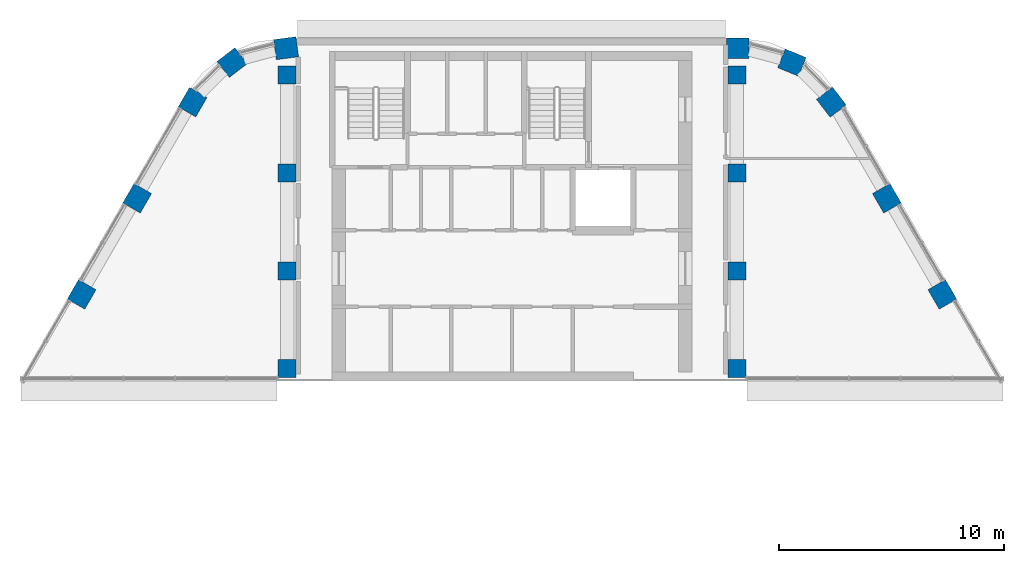
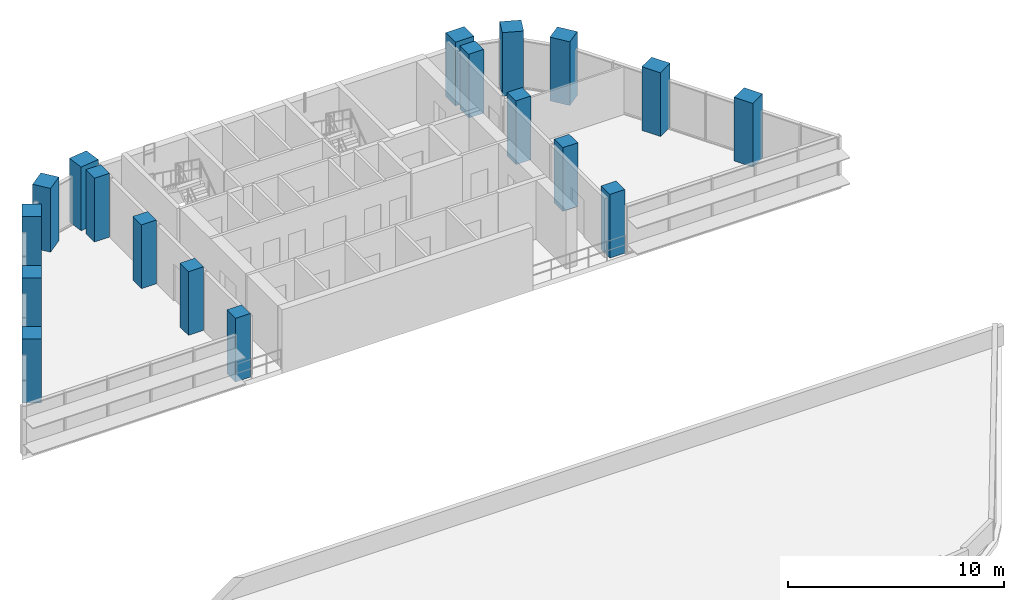
# One storey, part 1 of 10: 18 columns.
"""IFC4 building model written with IfcOpenShell, lengths in metres."""

from ifc_helpers import new_model, si_unit, direction, frame, origin, origin_2d, place, context, subcontext, project, spatial, rectangle, extrude, material, material_profile, profile_set, type_object, element, save


model = new_model("IFC4")

# Units and contexts
model_context = context("Model", 3, precision=1e-05, world=origin(), true_north=direction((0.0, 1.0)))
body_context = subcontext(model_context, "Body", "Model", "MODEL_VIEW")
ifc_project = project(units=[si_unit("LENGTHUNIT", "METRE"), si_unit("AREAUNIT", "SQUARE_METRE"), si_unit("VOLUMEUNIT", "CUBIC_METRE"), si_unit("PLANEANGLEUNIT", "RADIAN"), si_unit("MASSUNIT", "GRAM", prefix="KILO")], contexts=[model_context])

# Site, building, storey
site_placement = place(None, origin())
site = spatial("IfcSite", under=ifc_project, at=site_placement, CompositionType="ELEMENT")
building_placement = place(site_placement, origin())
building = spatial("IfcBuilding", under=site, at=building_placement, Name="Nakaniwa Court", CompositionType="ELEMENT")
storey_placement = place(building_placement, frame((0.0, 0.0, 290.39990234375)))
storey = spatial("IfcBuildingStorey", under=building, at=storey_placement, Name="C06", CompositionType="ELEMENT", Elevation=290.39990234375)

# Columns
ifc_material = material(Name="Concrete C80/100", Category="concrete")
ifc_material_profile_1 = material_profile(ifc_material, rectangle(XDim=1.0, YDim=0.89990234375, at=origin_2d()), Name="Concrete C80/100 RC 1000x900 perimeter column")
ifc_profile_set_1 = profile_set([ifc_material_profile_1], Name="Concrete C80/100")
column_type_1 = type_object("IfcColumnType", Name="Concrete C80/100 RC 1000x900 perimeter column", PredefinedType="COLUMN", material=ifc_profile_set_1)
for number, where, z_axis, x_axis, name in (
    (1, (69.95458984375, 102.199951171875, 0.0), (0.0, 0.0, 1.0), (-0.991442583111, -0.130543496177, 0.0), "COLUMN CO-01"),
    (2, (67.552001953125, 101.560302734375, 0.0), (0.0, 0.0, 1.0), (-0.793363965062, -0.608747582288, 0.0), "COLUMN CO-02"),
    (3, (65.796875, 99.799560546875, 0.0), (0.0, 0.0, 1.0), (-0.5, -0.866025403784, 0.0), "COLUMN CO-03"),
    (4, (63.328857421875, 95.524658203125, 0.0), (0.0, 0.0, 1.0), (-0.5, -0.866025403784, 0.0), "COLUMN CO-04"),
    (5, (60.860595703125, 91.249755859375, 0.0), (0.0, 0.0, 1.0), (-0.5, -0.866025403784, 0.0), "COLUMN CO-05"),
    (6, (99.139404296875, 91.249755859375, 0.0), (0.0, 0.0, 1.0), (-0.5, 0.866025403784, 0.0), "COLUMN CO-33"),
    (7, (96.671142578125, 95.524658203125, 0.0), (0.0, 0.0, 1.0), (-0.5, 0.866025403784, 0.0), "COLUMN CO-34"),
    (8, (94.203125, 99.799560546875, 0.0), (0.0, 0.0, 1.0), (-0.608761429009, 0.793353340291, 0.0), "COLUMN CO-35"),
    (9, (92.447998046875, 101.560302734375, 0.0), (0.0, 0.0, 1.0), (-0.923879532511, 0.382683432365, 0.0), "COLUMN CO-36"),
    (10, (90.04541015625, 102.199951171875, 0.0), (0.0, 0.0, 1.0), (-1.0, 0.0, 0.0), "COLUMN CO-37"),
):
    element("IfcColumn", number, at=place(storey_placement, frame(where, z_axis=z_axis, x_axis=x_axis)), inside=storey, type_object=column_type_1, Name=name, PredefinedType="COLUMN", context=body_context, shape_type="SweptSolid", body=[
        extrude(rectangle(XDim=1.0, YDim=0.89990234375, at=origin_2d()), origin(), (0.0, 0.0, 1.0), 3.60009765625),
    ])
ifc_material_profile_2 = material_profile(ifc_material, rectangle(XDim=0.800048828125, YDim=0.800048828125, at=origin_2d()), Name="Concrete C80/100 RC 800x800 spine column")
ifc_profile_set_2 = profile_set([ifc_material_profile_2], Name="Concrete C80/100")
column_type_2 = type_object("IfcColumnType", Name="Concrete C80/100 RC 800x800 spine column", PredefinedType="COLUMN", material=ifc_profile_set_2)
for number, where, z_axis, x_axis, name in (
    (11, (90.0, 87.949951171875, 0.0), (0.0, 0.0, 1.0), (0.0, 1.0, 0.0), "COLUMN CS-07"),
    (12, (90.0, 92.300048828125, 0.0), (0.0, 0.0, 1.0), (0.0, 1.0, 0.0), "COLUMN CS-08"),
    (13, (90.0, 96.64990234375, 0.0), (0.0, 0.0, 1.0), (0.0, 1.0, 0.0), "COLUMN CS-09"),
    (14, (90.0, 101.0, 0.0), (0.0, 0.0, 1.0), (0.0, 1.0, 0.0), "COLUMN CS-10"),
    (15, (70.0, 101.0, 0.0), (0.0, 0.0, 1.0), (0.0, -1.0, 0.0), "COLUMN CS-11"),
    (16, (70.0, 96.64990234375, 0.0), (0.0, 0.0, 1.0), (0.0, -1.0, 0.0), "COLUMN CS-12"),
    (17, (70.0, 92.300048828125, 0.0), (0.0, 0.0, 1.0), (0.0, -1.0, 0.0), "COLUMN CS-13"),
    (18, (70.0, 87.949951171875, 0.0), (0.0, 0.0, 1.0), (0.0, -1.0, 0.0), "COLUMN CS-14"),
):
    element("IfcColumn", number, at=place(storey_placement, frame(where, z_axis=z_axis, x_axis=x_axis)), inside=storey, type_object=column_type_2, Name=name, PredefinedType="COLUMN", context=body_context, shape_type="SweptSolid", body=[
        extrude(rectangle(XDim=0.800048828125, YDim=0.800048828125, at=origin_2d()), origin(), (0.0, 0.0, 1.0), 3.60009765625),
    ])

save(model, "model.ifc")
